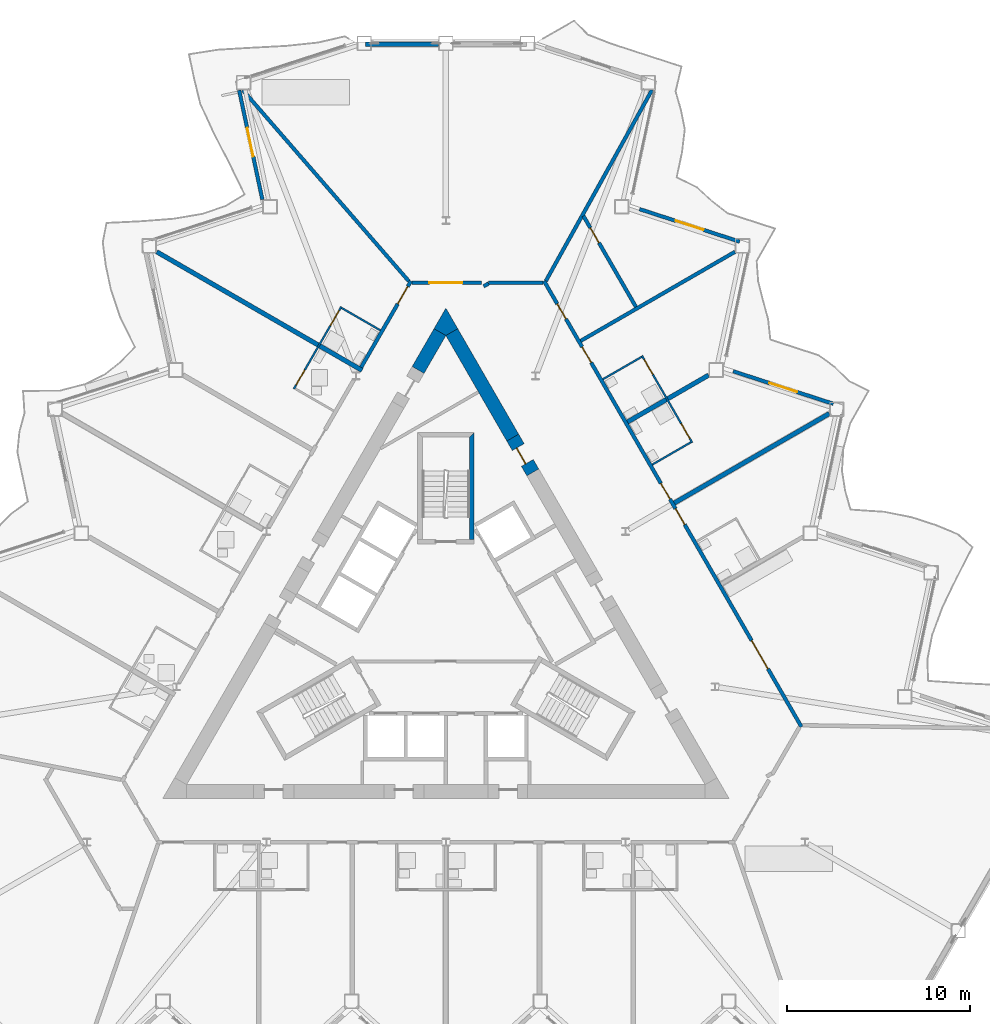
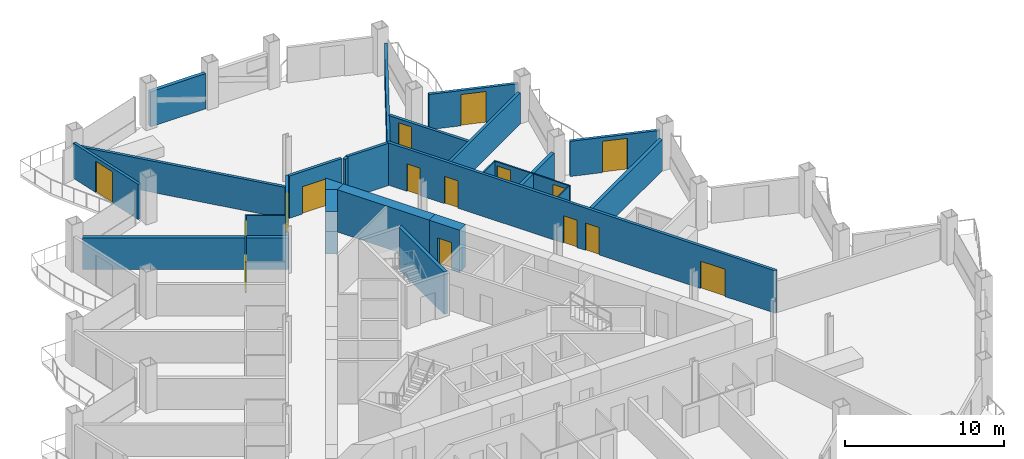
# One storey, part 14 of 23: 26 walls, 16 doors, 16 openings.
"""IFC4 building model written with IfcOpenShell, lengths in metres."""

from ifc_helpers import new_model, si_unit, direction, frame, frame_2d, origin, place, context, subcontext, project, spatial, polyline, rectangle, outline, extrude, material, layer, layer_set, type_object, element, fill, save


model = new_model("IFC4")

# Units and contexts
model_context = context("Model", 3, precision=1e-05, world=origin(), true_north=direction((0.0, 1.0)))
body_context = subcontext(model_context, "Body", "Model", "MODEL_VIEW")
ifc_project = project(units=[si_unit("LENGTHUNIT", "METRE"), si_unit("AREAUNIT", "SQUARE_METRE"), si_unit("VOLUMEUNIT", "CUBIC_METRE"), si_unit("PLANEANGLEUNIT", "RADIAN"), si_unit("MASSUNIT", "GRAM", prefix="KILO")], contexts=[model_context])

# Site, building, storey
site_placement = place(None, origin())
site = spatial("IfcSite", under=ifc_project, at=site_placement, CompositionType="ELEMENT")
building_placement = place(site_placement, origin())
building = spatial("IfcBuilding", under=site, at=building_placement, Name="Cormorant Prow Tower", CompositionType="ELEMENT")
storey_placement = place(building_placement, frame((0.0, 0.0, 187.199951171875)))
storey = spatial("IfcBuildingStorey", under=building, at=storey_placement, Name="L40", CompositionType="ELEMENT", Elevation=187.199951171875)

# Walls
ifc_material_1 = material(Name="Concrete 8000 psi", Category="concrete")
ifc_layer_1 = layer(ifc_material_1, 0.75)
ifc_layer_set_1 = layer_set([ifc_layer_1], Name="Concrete 8000 psi")
wall_type_1 = type_object("IfcWallType", Name="Core shear wall 750", PredefinedType="SHEAR", material=ifc_layer_set_1)
wall_1_placement = place(storey_placement, frame((3.661376953125, 10.806396484375, 0.0), z_axis=(0.0, 0.0, 1.0), x_axis=(-0.500014865866, 0.866016820803, 0.0)))
element("IfcWall", 1, at=wall_1_placement, inside=storey, type_object=wall_type_1, Name="Core wall", PredefinedType="SHEAR", context=body_context, shape_type="SweptSolid", body=[
    extrude(rectangle(XDim=6.673095703125, YDim=0.75, at=frame_2d((3.33642578125, 0.0))), origin(), (0.0, 0.0, 1.0), 3.25),
])
wall_2_placement = place(storey_placement, frame((-0.32470703125, 16.58544921875, 0.0), z_axis=(0.0, 0.0, 1.0), x_axis=(-0.500019473932, -0.866014160212, 0.0)))
element("IfcWall", 2, at=wall_2_placement, inside=storey, type_object=wall_type_1, Name="Core wall", PredefinedType="SHEAR", context=body_context, shape_type="SweptSolid", body=[
    extrude(rectangle(XDim=2.3955078125, YDim=0.75, at=frame_2d((1.19775390625, 0.0))), origin(), (0.0, 0.0, 1.0), 3.25),
])
wall_3_placement = place(storey_placement, origin())
element("IfcWall", 3, at=wall_3_placement, inside=storey, type_object=wall_type_1, Name="Core wall corner", PredefinedType="SHEAR", context=body_context, shape_type="SweptSolid", body=[
    extrude(outline(polyline([(-0.6494140625, 16.77294921875), (0.0, 17.89794921875), (0.6494140625, 16.77294921875), (0.0, 16.39794921875), (-0.6494140625, 16.77294921875)])), origin(), (0.0, 0.0, 1.0), 3.25),
])

# Wall, opening, door
wall_4_placement = place(storey_placement, frame((4.76123046875, 8.90087890625, 0.0), z_axis=(0.0, 0.0, 1.0), x_axis=(-0.499898558967, 0.866083962871, 0.0)))
wall_4 = element("IfcWall", 4, at=wall_4_placement, inside=storey, type_object=wall_type_1, Name="Core wall door panel", PredefinedType="SHEAR", context=body_context, shape_type="SweptSolid", body=[
    extrude(rectangle(XDim=2.2001953125, YDim=0.75, at=frame_2d((1.10009765625, 0.0))), origin(), (0.0, 0.0, 1.0), 3.25),
])
opening_1_placement = place(wall_4_placement, frame((0.60009765625, 0.0, 0.0)))
opening_1 = element("IfcOpeningElement", 5, at=opening_1_placement, cuts=wall_4, Name="Opening L40-C20", PredefinedType="OPENING", context=body_context, shape_type="SweptSolid", body=[
    extrude(rectangle(XDim=1.0, YDim=2.10009765625, at=frame_2d((0.5, 1.050048828125))), frame((0.0, 0.385009765625, 0.0), z_axis=(0.0, -1.0, 0.0), x_axis=(1.0, 0.0, 0.0)), (0.0, 0.0, 1.0), 0.77001953125),
])
ifc_material_2 = material(Name="Painted steel", Category="steel")
door_type_1 = type_object("IfcDoorType", Name="Service door 1000x2100", OperationType="NOTDEFINED", PredefinedType="DOOR", material=ifc_material_2)
door_1_placement = place(opening_1_placement, origin())
door_1 = element("IfcDoor", 6, at=door_1_placement, inside=storey, type_object=door_type_1, Name="Core door, Linen store", OperationType="SINGLE_SWING_RIGHT", OverallHeight=2.10009765625, OverallWidth=1.0, PredefinedType="DOOR", context=body_context, shape_type="SweptSolid", body=[
    extrude(rectangle(XDim=1.0, YDim=2.10009765625, at=frame_2d((0.5, 1.050048828125))), frame((0.0, 0.1298828125, 0.0), z_axis=(0.0, -1.0, 0.0), x_axis=(1.0, 0.0, 0.0)), (0.0, 0.0, 1.0), 0.050048828125),
])
fill(opening_1, door_1)

# Wall, openings, doors
ifc_material_3 = material(Name="Gypsum board corridor wall")
ifc_layer_2 = layer(ifc_material_3, 0.199951171875)
ifc_layer_set_2 = layer_set([ifc_layer_2], Name="Gypsum board corridor wall")
wall_type_2 = type_object("IfcWallType", Name="Corridor wall 200", PredefinedType="PARTITIONING", material=ifc_layer_set_2)
wall_5_placement = place(storey_placement, frame((5.377197265625, 19.384521484375, 0.0), z_axis=(0.0, 0.0, 1.0), x_axis=(0.500000757641, -0.86602496636, 0.0)))
wall_5 = element("IfcWall", 7, at=wall_5_placement, inside=storey, type_object=wall_type_2, Name="Corridor wall", PredefinedType="PARTITIONING", context=body_context, shape_type="SweptSolid", body=[
    extrude(rectangle(XDim=28.19775390625, YDim=0.199951171875, at=frame_2d((14.098876953125, 0.0))), origin(), (0.0, 0.0, 1.0), 3.25),
])
opening_2_placement = place(wall_5_placement, frame((22.73486328125, 0.0, 0.0)))
opening_2 = element("IfcOpeningElement", 8, at=opening_2_placement, cuts=wall_5, Name="Opening L40-F14", PredefinedType="OPENING", context=body_context, shape_type="SweptSolid", body=[
    extrude(rectangle(XDim=1.800048828125, YDim=2.10009765625, at=frame_2d((0.89990234375, 1.050048828125))), frame((0.0, 0.10986328125, 0.0), z_axis=(0.0, -1.0, 0.0), x_axis=(1.0, 0.0, 0.0)), (0.0, 0.0, 1.0), 0.219970703125),
])
opening_3_placement = place(wall_5_placement, frame((14.40185546875, 0.0, 0.0)))
opening_3 = element("IfcOpeningElement", 9, at=opening_3_placement, cuts=wall_5, Name="Opening L40-F15", PredefinedType="OPENING", context=body_context, shape_type="SweptSolid", body=[
    extrude(rectangle(XDim=1.0, YDim=2.10009765625, at=frame_2d((0.5, 1.050048828125))), frame((0.0, 0.10986328125, 0.0), z_axis=(0.0, -1.0, 0.0), x_axis=(1.0, 0.0, 0.0)), (0.0, 0.0, 1.0), 0.219970703125),
])
opening_4_placement = place(wall_5_placement, frame((12.7958984375, 0.0, 0.0)))
opening_4 = element("IfcOpeningElement", 10, at=opening_4_placement, cuts=wall_5, Name="Opening L40-F17", PredefinedType="OPENING", context=body_context, shape_type="SweptSolid", body=[
    extrude(rectangle(XDim=1.0, YDim=2.10009765625, at=frame_2d((0.5, 1.050048828125))), frame((0.0, 0.10986328125, 0.0), z_axis=(0.0, -1.0, 0.0), x_axis=(1.0, 0.0, 0.0)), (0.0, 0.0, 1.0), 0.219970703125),
])
opening_5_placement = place(wall_5_placement, frame((4.164306640625, 0.0, 0.0)))
opening_5 = element("IfcOpeningElement", 11, at=opening_5_placement, cuts=wall_5, Name="Opening L40-F19", PredefinedType="OPENING", context=body_context, shape_type="SweptSolid", body=[
    extrude(rectangle(XDim=1.0, YDim=2.10009765625, at=frame_2d((0.5, 1.050048828125))), frame((0.0, 0.10986328125, 0.0), z_axis=(0.0, -1.0, 0.0), x_axis=(1.0, 0.0, 0.0)), (0.0, 0.0, 1.0), 0.219970703125),
])
opening_6_placement = place(wall_5_placement, frame((1.4521484375, 0.0, 0.0)))
opening_6 = element("IfcOpeningElement", 12, at=opening_6_placement, cuts=wall_5, Name="Opening L40-F21", PredefinedType="OPENING", context=body_context, shape_type="SweptSolid", body=[
    extrude(rectangle(XDim=0.949951171875, YDim=2.10009765625, at=frame_2d((0.47509765625, 1.050048828125))), frame((0.0, 0.10986328125, 0.0), z_axis=(0.0, -1.0, 0.0), x_axis=(1.0, 0.0, 0.0)), (0.0, 0.0, 1.0), 0.219970703125),
])
ifc_material_4 = material(Name="Timber door leaf", Category="wood")
door_type_2 = type_object("IfcDoorType", Name="Double door 1800x2100", OperationType="DOUBLE_DOOR_SINGLE_SWING", PredefinedType="DOOR", material=ifc_material_4)
door_2_placement = place(opening_2_placement, origin())
door_2 = element("IfcDoor", 13, at=door_2_placement, inside=storey, type_object=door_type_2, Name="Club lounge door", OperationType="DOUBLE_DOOR_SINGLE_SWING", OverallHeight=2.10009765625, OverallWidth=1.800048828125, PredefinedType="DOOR", context=body_context, shape_type="SweptSolid", body=[
    extrude(rectangle(XDim=1.800048828125, YDim=2.10009765625, at=frame_2d((0.89990234375, 1.050048828125))), frame((0.0, 0.02490234375, 0.0), z_axis=(0.0, -1.0, 0.0), x_axis=(1.0, 0.0, 0.0)), (0.0, 0.0, 1.0), 0.050048828125),
])
fill(opening_2, door_2)
ifc_material_5 = material(Name="Timber door leaf", Category="wood")
door_type_3 = type_object("IfcDoorType", Name="Flat or room entrance door 1000x2100", OperationType="NOTDEFINED", PredefinedType="DOOR", material=ifc_material_5)
door_3_placement = place(opening_3_placement, origin())
door_3 = element("IfcDoor", 14, at=door_3_placement, inside=storey, type_object=door_type_3, Name="Guest room door", OperationType="SINGLE_SWING_LEFT", OverallHeight=2.10009765625, OverallWidth=1.0, PredefinedType="DOOR", context=body_context, shape_type="SweptSolid", body=[
    extrude(rectangle(XDim=1.0, YDim=2.10009765625, at=frame_2d((0.5, 1.050048828125))), frame((0.0, 0.02490234375, 0.0), z_axis=(0.0, -1.0, 0.0), x_axis=(1.0, 0.0, 0.0)), (0.0, 0.0, 1.0), 0.050048828125),
])
fill(opening_3, door_3)
door_4_placement = place(opening_4_placement, origin())
door_4 = element("IfcDoor", 15, at=door_4_placement, inside=storey, type_object=door_type_3, Name="Guest room door", OperationType="SINGLE_SWING_RIGHT", OverallHeight=2.10009765625, OverallWidth=1.0, PredefinedType="DOOR", context=body_context, shape_type="SweptSolid", body=[
    extrude(rectangle(XDim=1.0, YDim=2.10009765625, at=frame_2d((0.5, 1.050048828125))), frame((0.0, 0.02490234375, 0.0), z_axis=(0.0, -1.0, 0.0), x_axis=(1.0, 0.0, 0.0)), (0.0, 0.0, 1.0), 0.050048828125),
])
fill(opening_4, door_4)
door_5_placement = place(opening_5_placement, origin())
door_5 = element("IfcDoor", 16, at=door_5_placement, inside=storey, type_object=door_type_3, Name="Guest room door", OperationType="SINGLE_SWING_LEFT", OverallHeight=2.10009765625, OverallWidth=1.0, PredefinedType="DOOR", context=body_context, shape_type="SweptSolid", body=[
    extrude(rectangle(XDim=1.0, YDim=2.10009765625, at=frame_2d((0.5, 1.050048828125))), frame((0.0, 0.02490234375, 0.0), z_axis=(0.0, -1.0, 0.0), x_axis=(1.0, 0.0, 0.0)), (0.0, 0.0, 1.0), 0.050048828125),
])
fill(opening_5, door_5)
ifc_material_6 = material(Name="Timber door leaf", Category="wood")
door_type_4 = type_object("IfcDoorType", Name="Store door 950x2100", OperationType="NOTDEFINED", PredefinedType="DOOR", material=ifc_material_6)
door_6_placement = place(opening_6_placement, origin())
door_6 = element("IfcDoor", 17, at=door_6_placement, inside=storey, type_object=door_type_4, Name="Housekeeping room door", OperationType="SINGLE_SWING_LEFT", OverallHeight=2.10009765625, OverallWidth=0.949951171875, PredefinedType="DOOR", context=body_context, shape_type="SweptSolid", body=[
    extrude(rectangle(XDim=0.949951171875, YDim=2.10009765625, at=frame_2d((0.47509765625, 1.050048828125))), frame((0.0, 0.02490234375, 0.0), z_axis=(0.0, -1.0, 0.0), x_axis=(1.0, 0.0, 0.0)), (0.0, 0.0, 1.0), 0.050048828125),
])
fill(opening_6, door_6)

# Wall, opening, door
wall_6_placement = place(storey_placement, frame((-4.643798828125, 14.654541015625, 0.0), z_axis=(0.0, 0.0, 1.0), x_axis=(0.49998041698, 0.866036709751, 0.0)))
wall_6 = element("IfcWall", 18, at=wall_6_placement, inside=storey, type_object=wall_type_2, Name="Corridor wall", PredefinedType="PARTITIONING", context=body_context, shape_type="SweptSolid", body=[
    extrude(rectangle(XDim=5.461669921875, YDim=0.199951171875, at=frame_2d((2.73095703125, 0.0))), origin(), (0.0, 0.0, 1.0), 3.25),
])
opening_7_placement = place(wall_6_placement, frame((4.010009765625, 0.0, 0.0)))
opening_7 = element("IfcOpeningElement", 19, at=opening_7_placement, cuts=wall_6, Name="Opening L40-F24", PredefinedType="OPENING", context=body_context, shape_type="SweptSolid", body=[
    extrude(rectangle(XDim=1.10009765625, YDim=2.10009765625, at=frame_2d((0.550048828125, 1.050048828125))), frame((0.0, 0.10986328125, 0.0), z_axis=(0.0, -1.0, 0.0), x_axis=(1.0, 0.0, 0.0)), (0.0, 0.0, 1.0), 0.219970703125),
])
ifc_material_7 = material(Name="Timber door leaf", Category="wood")
door_type_5 = type_object("IfcDoorType", Name="Suite entrance door 1100x2100", OperationType="NOTDEFINED", PredefinedType="DOOR", material=ifc_material_7)
door_7_placement = place(opening_7_placement, origin())
door_7 = element("IfcDoor", 20, at=door_7_placement, inside=storey, type_object=door_type_5, Name="Junior suite door", OperationType="SINGLE_SWING_RIGHT", OverallHeight=2.10009765625, OverallWidth=1.10009765625, PredefinedType="DOOR", context=body_context, shape_type="SweptSolid", body=[
    extrude(rectangle(XDim=1.10009765625, YDim=2.10009765625, at=frame_2d((0.550048828125, 1.050048828125))), frame((0.0, 0.02490234375, 0.0), z_axis=(0.0, -1.0, 0.0), x_axis=(1.0, 0.0, 0.0)), (0.0, 0.0, 1.0), 0.050048828125),
])
fill(opening_7, door_7)

wall_7_placement = place(storey_placement, frame((-1.863037109375, 19.2978515625, 0.0), z_axis=(0.0, 0.0, 1.0), x_axis=(1.0, 0.0, 0.0)))
wall_7 = element("IfcWall", 21, at=wall_7_placement, inside=storey, type_object=wall_type_2, Name="Corridor wall", PredefinedType="PARTITIONING", context=body_context, shape_type="SweptSolid", body=[
    extrude(rectangle(XDim=3.825927734375, YDim=0.199951171875, at=frame_2d((1.9130859375, 0.0))), origin(), (0.0, 0.0, 1.0), 3.25),
])
opening_8_placement = place(wall_7_placement, frame((0.962158203125, 0.0, 0.0)))
opening_8 = element("IfcOpeningElement", 22, at=opening_8_placement, cuts=wall_7, Name="Opening L40-F23", PredefinedType="OPENING", context=body_context, shape_type="SweptSolid", body=[
    extrude(rectangle(XDim=1.800048828125, YDim=2.10009765625, at=frame_2d((0.89990234375, 1.050048828125))), frame((0.0, 0.10986328125, 0.0), z_axis=(0.0, -1.0, 0.0), x_axis=(1.0, 0.0, 0.0)), (0.0, 0.0, 1.0), 0.219970703125),
])
door_8_placement = place(opening_8_placement, origin())
door_8 = element("IfcDoor", 23, at=door_8_placement, inside=storey, type_object=door_type_2, Name="Co-working space door", OperationType="DOUBLE_DOOR_SINGLE_SWING", OverallHeight=2.10009765625, OverallWidth=1.800048828125, PredefinedType="DOOR", context=body_context, shape_type="SweptSolid", body=[
    extrude(rectangle(XDim=1.800048828125, YDim=2.10009765625, at=frame_2d((0.89990234375, 1.050048828125))), frame((0.0, 0.02490234375, 0.0), z_axis=(0.0, -1.0, 0.0), x_axis=(1.0, 0.0, 0.0)), (0.0, 0.0, 1.0), 0.050048828125),
])
fill(opening_8, door_8)

# Walls
wall_8_placement = place(storey_placement, frame((2.324951171875, 19.2978515625, 0.0), z_axis=(0.0, 0.0, 1.0), x_axis=(1.0, 0.0, 0.0)))
element("IfcWall", 24, at=wall_8_placement, inside=storey, type_object=wall_type_2, Name="Corridor wall", PredefinedType="PARTITIONING", context=body_context, shape_type="SweptSolid", body=[
    extrude(rectangle(XDim=3.002197265625, YDim=0.199951171875, at=frame_2d((1.5009765625, 0.0))), origin(), (0.0, 0.0, 1.0), 3.25),
])
wall_9_placement = place(storey_placement, frame((2.06982421875, 19.093017578125, 0.0), z_axis=(0.0, 0.0, 1.0), x_axis=(0.866395311824, 0.499358752451, 0.0)))
element("IfcWall", 25, at=wall_9_placement, inside=storey, type_object=wall_type_2, Name="Corridor wall", PredefinedType="PARTITIONING", context=body_context, shape_type="SweptSolid", body=[
    extrude(rectangle(XDim=0.31005859375, YDim=0.199951171875, at=frame_2d((0.155029296875, 0.0))), origin(), (0.0, 0.0, 1.0), 3.25),
])
ifc_material_8 = material(Name="Gypsum board demising wall")
ifc_layer_3 = layer(ifc_material_8, 0.199951171875)
ifc_layer_set_3 = layer_set([ifc_layer_3], Name="Gypsum board demising wall")
wall_type_3 = type_object("IfcWallType", Name="Demising wall 200", PredefinedType="PARTITIONING", material=ifc_layer_set_3)
wall_10_placement = place(storey_placement, frame((-11.122314453125, 29.841796875, 0.0), z_axis=(0.0, 0.0, 1.0), x_axis=(0.65579678992, -0.754937461205, 0.0)))
element("IfcWall", 26, at=wall_10_placement, inside=storey, type_object=wall_type_3, Name="Demising wall", PredefinedType="PARTITIONING", context=body_context, shape_type="SweptSolid", body=[
    extrude(rectangle(XDim=13.86669921875, YDim=0.199951171875, at=frame_2d((6.933349609375, 0.0))), origin(), (0.0, 0.0, 1.0), 2.404296875),
])
wall_11_placement = place(storey_placement, frame((5.4755859375, 19.38525390625, 0.0), z_axis=(0.0, 0.0, 1.0), x_axis=(0.485729569949, 0.874109137853, 0.0)))
element("IfcWall", 27, at=wall_11_placement, inside=storey, type_object=wall_type_3, Name="Demising wall", PredefinedType="PARTITIONING", context=body_context, shape_type="SweptSolid", body=[
    extrude(rectangle(XDim=11.96240234375, YDim=0.199951171875, at=frame_2d((5.981201171875, 0.0))), origin(), (0.0, 0.0, 1.0), 2.404296875),
])
wall_12_placement = place(storey_placement, frame((7.385986328125, 16.10498046875, 0.0), z_axis=(0.0, 0.0, 1.0), x_axis=(0.866023056814, 0.500004065051, 0.0)))
element("IfcWall", 28, at=wall_12_placement, inside=storey, type_object=wall_type_3, Name="Demising wall", PredefinedType="PARTITIONING", context=body_context, shape_type="SweptSolid", body=[
    extrude(rectangle(XDim=9.755859375, YDim=0.199951171875, at=frame_2d((4.8779296875, 0.0))), origin(), (0.0, 0.0, 1.0), 2.404296875),
])

# Wall, opening, door
wall_13_placement = place(storey_placement, frame((7.534423828125, 22.947998046875, 0.0), z_axis=(0.0, 0.0, 1.0), x_axis=(0.499991885958, -0.866030088378, 0.0)))
wall_13 = element("IfcWall", 29, at=wall_13_placement, inside=storey, type_object=wall_type_3, Name="Demising wall", PredefinedType="PARTITIONING", context=body_context, shape_type="SweptSolid", body=[
    extrude(rectangle(XDim=5.751953125, YDim=0.199951171875, at=frame_2d((2.8759765625, 0.0))), origin(), (0.0, 0.0, 1.0), 2.404296875),
])
opening_9_placement = place(wall_13_placement, frame((0.750244140625, 0.0, 0.0)))
opening_9 = element("IfcOpeningElement", 30, at=opening_9_placement, cuts=wall_13, Name="Opening L40-F22", PredefinedType="OPENING", context=body_context, shape_type="SweptSolid", body=[
    extrude(rectangle(XDim=0.949951171875, YDim=2.10009765625, at=frame_2d((0.47509765625, 1.050048828125))), frame((0.0, 0.10986328125, 0.0), z_axis=(0.0, -1.0, 0.0), x_axis=(1.0, 0.0, 0.0)), (0.0, 0.0, 1.0), 0.219970703125),
])
door_9_placement = place(opening_9_placement, origin())
door_9 = element("IfcDoor", 31, at=door_9_placement, inside=storey, type_object=door_type_4, Name="Linen store door", OperationType="SINGLE_SWING_LEFT", OverallHeight=2.10009765625, OverallWidth=0.949951171875, PredefinedType="DOOR", context=body_context, shape_type="SweptSolid", body=[
    extrude(rectangle(XDim=0.949951171875, YDim=2.10009765625, at=frame_2d((0.47509765625, 1.050048828125))), frame((0.0, 0.02490234375, 0.0), z_axis=(0.0, -1.0, 0.0), x_axis=(1.0, 0.0, 0.0)), (0.0, 0.0, 1.0), 0.050048828125),
])
fill(opening_9, door_9)

# Wall, openings, doors
ifc_material_9 = material(Name="Gypsum board partition")
ifc_layer_4 = layer(ifc_material_9, 0.10009765625)
ifc_layer_set_4 = layer_set([ifc_layer_4], Name="Gypsum board partition")
wall_type_4 = type_object("IfcWallType", Name="Internal partition 100", PredefinedType="PARTITIONING", material=ifc_layer_set_4)
wall_14_placement = place(storey_placement, frame((10.739501953125, 15.296142578125, 0.0), z_axis=(0.0, 0.0, 1.0), x_axis=(0.500015767406, -0.866016300277, 0.0)))
wall_14 = element("IfcWall", 32, at=wall_14_placement, inside=storey, type_object=wall_type_4, Name="Internal partition", PredefinedType="PARTITIONING", context=body_context, shape_type="SweptSolid", body=[
    extrude(rectangle(XDim=5.499755859375, YDim=0.10009765625, at=frame_2d((2.75, 0.0))), origin(), (0.0, 0.0, 1.0), 2.404296875),
])
opening_10_placement = place(wall_14_placement, frame((4.300048828125, 0.0, 0.0)))
opening_10 = element("IfcOpeningElement", 33, at=opening_10_placement, cuts=wall_14, Name="Opening L40-F18", PredefinedType="OPENING", context=body_context, shape_type="SweptSolid", body=[
    extrude(rectangle(XDim=0.949951171875, YDim=2.10009765625, at=frame_2d((0.47509765625, 1.050048828125))), frame((0.0, 0.06005859375, 0.0), z_axis=(0.0, -1.0, 0.0), x_axis=(1.0, 0.0, 0.0)), (0.0, 0.0, 1.0), 0.1201171875),
])
opening_11_placement = place(wall_14_placement, frame((0.25, 0.0, 0.0)))
opening_11 = element("IfcOpeningElement", 34, at=opening_11_placement, cuts=wall_14, Name="Opening L40-F20", PredefinedType="OPENING", context=body_context, shape_type="SweptSolid", body=[
    extrude(rectangle(XDim=0.949951171875, YDim=2.10009765625, at=frame_2d((0.47509765625, 1.050048828125))), frame((0.0, 0.06005859375, 0.0), z_axis=(0.0, -1.0, 0.0), x_axis=(1.0, 0.0, 0.0)), (0.0, 0.0, 1.0), 0.1201171875),
])
ifc_material_10 = material(Name="Timber door leaf", Category="wood")
door_type_6 = type_object("IfcDoorType", Name="Bathroom door 950x2100", OperationType="NOTDEFINED", PredefinedType="DOOR", material=ifc_material_10)
door_10_placement = place(opening_10_placement, origin())
door_10 = element("IfcDoor", 35, at=door_10_placement, inside=storey, type_object=door_type_6, Name="Guest room door", OperationType="SINGLE_SWING_RIGHT", OverallHeight=2.10009765625, OverallWidth=0.949951171875, PredefinedType="DOOR", context=body_context, shape_type="SweptSolid", body=[
    extrude(rectangle(XDim=0.949951171875, YDim=2.10009765625, at=frame_2d((0.47509765625, 1.050048828125))), frame((0.0, 0.02490234375, 0.0), z_axis=(0.0, -1.0, 0.0), x_axis=(1.0, 0.0, 0.0)), (0.0, 0.0, 1.0), 0.050048828125),
])
fill(opening_10, door_10)
door_11_placement = place(opening_11_placement, origin())
door_11 = element("IfcDoor", 36, at=door_11_placement, inside=storey, type_object=door_type_6, Name="Guest room door", OperationType="SINGLE_SWING_LEFT", OverallHeight=2.10009765625, OverallWidth=0.949951171875, PredefinedType="DOOR", context=body_context, shape_type="SweptSolid", body=[
    extrude(rectangle(XDim=0.949951171875, YDim=2.10009765625, at=frame_2d((0.47509765625, 1.050048828125))), frame((0.0, 0.02490234375, 0.0), z_axis=(0.0, -1.0, 0.0), x_axis=(1.0, 0.0, 0.0)), (0.0, 0.0, 1.0), 0.050048828125),
])
fill(opening_11, door_11)

wall_15_placement = place(storey_placement, frame((-8.327880859375, 13.473388671875, 0.0), z_axis=(0.0, 0.0, 1.0), x_axis=(0.499992051641, 0.866029992723, 0.0)))
wall_15 = element("IfcWall", 37, at=wall_15_placement, inside=storey, type_object=wall_type_4, Name="Internal partition", PredefinedType="PARTITIONING", context=body_context, shape_type="SweptSolid", body=[
    extrude(rectangle(XDim=5.19970703125, YDim=0.10009765625, at=frame_2d((2.599853515625, 0.0))), origin(), (0.0, 0.0, 1.0), 2.404296875),
])
opening_12_placement = place(wall_15_placement, frame((4.0, 0.0, 0.0)))
opening_12 = element("IfcOpeningElement", 38, at=opening_12_placement, cuts=wall_15, Name="Opening L40-F25", PredefinedType="OPENING", context=body_context, shape_type="SweptSolid", body=[
    extrude(rectangle(XDim=0.949951171875, YDim=2.10009765625, at=frame_2d((0.47509765625, 1.050048828125))), frame((0.0, 0.06005859375, 0.0), z_axis=(0.0, -1.0, 0.0), x_axis=(1.0, 0.0, 0.0)), (0.0, 0.0, 1.0), 0.1201171875),
])
opening_13_placement = place(wall_15_placement, frame((0.25, 0.0, 0.0)))
opening_13 = element("IfcOpeningElement", 39, at=opening_13_placement, cuts=wall_15, Name="Opening L40-F27", PredefinedType="OPENING", context=body_context, shape_type="SweptSolid", body=[
    extrude(rectangle(XDim=0.949951171875, YDim=2.10009765625, at=frame_2d((0.47509765625, 1.050048828125))), frame((0.0, 0.06005859375, 0.0), z_axis=(0.0, -1.0, 0.0), x_axis=(1.0, 0.0, 0.0)), (0.0, 0.0, 1.0), 0.1201171875),
])
door_12_placement = place(opening_12_placement, origin())
door_12 = element("IfcDoor", 40, at=door_12_placement, inside=storey, type_object=door_type_6, Name="Junior suite door", OperationType="SINGLE_SWING_RIGHT", OverallHeight=2.10009765625, OverallWidth=0.949951171875, PredefinedType="DOOR", context=body_context, shape_type="SweptSolid", body=[
    extrude(rectangle(XDim=0.949951171875, YDim=2.10009765625, at=frame_2d((0.47509765625, 1.050048828125))), frame((0.0, 0.02490234375, 0.0), z_axis=(0.0, -1.0, 0.0), x_axis=(1.0, 0.0, 0.0)), (0.0, 0.0, 1.0), 0.050048828125),
])
fill(opening_12, door_12)
door_13_placement = place(opening_13_placement, origin())
door_13 = element("IfcDoor", 41, at=door_13_placement, inside=storey, type_object=door_type_6, Name="Guest room door", OperationType="SINGLE_SWING_LEFT", OverallHeight=2.10009765625, OverallWidth=0.949951171875, PredefinedType="DOOR", context=body_context, shape_type="SweptSolid", body=[
    extrude(rectangle(XDim=0.949951171875, YDim=2.10009765625, at=frame_2d((0.47509765625, 1.050048828125))), frame((0.0, 0.02490234375, 0.0), z_axis=(0.0, -1.0, 0.0), x_axis=(1.0, 0.0, 0.0)), (0.0, 0.0, 1.0), 0.050048828125),
])
fill(opening_13, door_13)

# Walls
wall_16_placement = place(storey_placement, frame((-5.709716796875, 17.908203125, 0.0), z_axis=(0.0, 0.0, 1.0), x_axis=(0.866057815567, -0.499943856944, 0.0)))
element("IfcWall", 42, at=wall_16_placement, inside=storey, type_object=wall_type_4, Name="Internal partition", PredefinedType="PARTITIONING", context=body_context, shape_type="SweptSolid", body=[
    extrude(rectangle(XDim=2.449951171875, YDim=0.10009765625, at=frame_2d((1.22509765625, 0.0))), origin(), (0.0, 0.0, 1.0), 2.404296875),
])
wall_17_placement = place(storey_placement, frame((11.299560546875, 9.326416015625, 0.0), z_axis=(0.0, 0.0, 1.0), x_axis=(0.866014668023, 0.500018594424, 0.0)))
element("IfcWall", 43, at=wall_17_placement, inside=storey, type_object=wall_type_4, Name="Internal partition", PredefinedType="PARTITIONING", context=body_context, shape_type="SweptSolid", body=[
    extrude(rectangle(XDim=2.4501953125, YDim=0.10009765625, at=frame_2d((1.22509765625, 0.0))), origin(), (0.0, 0.0, 1.0), 2.404296875),
])
wall_18_placement = place(storey_placement, frame((8.599609375, 14.0029296875, 0.0), z_axis=(0.0, 0.0, 1.0), x_axis=(0.866032905446, 0.499987006516, 0.0)))
element("IfcWall", 44, at=wall_18_placement, inside=storey, type_object=wall_type_4, Name="Internal partition", PredefinedType="PARTITIONING", context=body_context, shape_type="SweptSolid", body=[
    extrude(rectangle(XDim=2.44970703125, YDim=0.10009765625, at=frame_2d((1.224853515625, 0.0))), origin(), (0.0, 0.0, 1.0), 2.404296875),
])
ifc_material_11 = material(Name="Concrete 8000 psi", Category="concrete")
ifc_layer_5 = layer(ifc_material_11, 0.25)
ifc_layer_set_5 = layer_set([ifc_layer_5], Name="Concrete 8000 psi")
wall_type_5 = type_object("IfcWallType", Name="Stair wall 250", PredefinedType="SHEAR", material=ifc_layer_set_5)
wall_19_placement = place(storey_placement, origin())
element("IfcWall", 45, at=wall_19_placement, inside=storey, type_object=wall_type_5, Name="Stair ST3 enclosure wall (flank)", PredefinedType="SHEAR", context=body_context, shape_type="SweptSolid", body=[
    extrude(outline(polyline([(1.5439453125, 5.23681640625), (1.5439453125, 11.0869140625), (1.2939453125, 10.8369140625), (1.2939453125, 5.23681640625), (1.5439453125, 5.23681640625)])), origin(), (0.0, 0.0, 1.0), 3.25),
])
ifc_material_12 = material(Name="Acoustic gypsum party wall")
ifc_layer_6 = layer(ifc_material_12, 0.25)
ifc_layer_set_6 = layer_set([ifc_layer_6], Name="Acoustic gypsum party wall")
wall_type_6 = type_object("IfcWallType", Name="Suite party wall 250", PredefinedType="PARTITIONING", material=ifc_layer_set_6)
wall_20_placement = place(storey_placement, frame((-15.834716796875, 20.98291015625, 0.0), z_axis=(0.0, 0.0, 1.0), x_axis=(0.866022720283, -0.500004647933, 0.0)))
element("IfcWall", 46, at=wall_20_placement, inside=storey, type_object=wall_type_6, Name="Suite party wall", PredefinedType="PARTITIONING", context=body_context, shape_type="SweptSolid", body=[
    extrude(rectangle(XDim=12.98095703125, YDim=0.25, at=frame_2d((6.490478515625, 0.0))), origin(), (0.0, 0.0, 1.0), 2.404296875),
])
wall_21_placement = place(storey_placement, frame((12.51318359375, 7.224609375, 0.0), z_axis=(0.0, 0.0, 1.0), x_axis=(0.866032905446, 0.499987006516, 0.0)))
element("IfcWall", 47, at=wall_21_placement, inside=storey, type_object=wall_type_6, Name="Suite party wall", PredefinedType="PARTITIONING", context=body_context, shape_type="SweptSolid", body=[
    extrude(rectangle(XDim=9.799072265625, YDim=0.25, at=frame_2d((4.8994140625, 0.0))), origin(), (0.0, 0.0, 1.0), 2.404296875),
])
wall_22_placement = place(storey_placement, frame((9.94970703125, 11.664794921875, 0.0), z_axis=(0.0, 0.0, 1.0), x_axis=(0.86603095744, 0.499990380663, 0.0)))
element("IfcWall", 48, at=wall_22_placement, inside=storey, type_object=wall_type_6, Name="Suite party wall", PredefinedType="PARTITIONING", context=body_context, shape_type="SweptSolid", body=[
    extrude(rectangle(XDim=5.126953125, YDim=0.25, at=frame_2d((2.5634765625, 0.0))), origin(), (0.0, 0.0, 1.0), 2.404296875),
])
ifc_material_13 = material(Name="Terracotta", Category="masonry")
ifc_layer_7 = layer(ifc_material_13, 0.25)
ifc_layer_set_7 = layer_set([ifc_layer_7], Name="Terracotta")
wall_type_7 = type_object("IfcWallType", Name="Terracotta bay wall 250", PredefinedType="SOLIDWALL", material=ifc_layer_set_7)
wall_23_placement = place(storey_placement, frame((-0.39990234375, 32.346923828125, 0.0), z_axis=(0.0, 0.0, 1.0), x_axis=(-1.0, 0.0, 0.0)))
element("IfcWall", 49, at=wall_23_placement, inside=storey, type_object=wall_type_7, Name="Terracotta bay wall N01", PredefinedType="SOLIDWALL", context=body_context, shape_type="SweptSolid", body=[
    extrude(rectangle(XDim=4.00390625, YDim=0.25, at=frame_2d((2.001953125, 0.0))), origin(), (0.0, 0.0, 1.0), 2.700927734375),
])

# Wall, opening, door
ifc_material_14 = material(Name="Terracotta", Category="masonry")
ifc_layer_8 = layer(ifc_material_14, 0.199951171875)
ifc_layer_set_8 = layer_set([ifc_layer_8], Name="Terracotta")
wall_type_8 = type_object("IfcWallType", Name="Terracotta jamb wall 200", PredefinedType="SOLIDWALL", material=ifc_layer_set_8)
wall_24_placement = place(storey_placement, frame((21.216552734375, 12.659423828125, 0.0), z_axis=(0.0, 0.0, 1.0), x_axis=(-0.951053678976, 0.30902572661, 0.0)))
wall_24 = element("IfcWall", 50, at=wall_24_placement, inside=storey, type_object=wall_type_8, Name="Terracotta jamb wall ENE05", PredefinedType="SOLIDWALL", context=body_context, shape_type="SweptSolid", body=[
    extrude(rectangle(XDim=5.76318359375, YDim=0.199951171875, at=frame_2d((2.881591796875, 0.0))), origin(), (0.0, 0.0, 1.0), 2.700927734375),
])
opening_14_placement = place(wall_24_placement, frame((2.08154296875, 0.0, 0.0)))
opening_14 = element("IfcOpeningElement", 51, at=opening_14_placement, cuts=wall_24, Name="Opening ED40.08", PredefinedType="OPENING", context=body_context, shape_type="SweptSolid", body=[
    extrude(rectangle(XDim=1.60009765625, YDim=2.39990234375, at=frame_2d((0.800048828125, 1.199951171875))), frame((0.0, 0.10986328125, 0.0), z_axis=(0.0, -1.0, 0.0), x_axis=(1.0, 0.0, 0.0)), (0.0, 0.0, 1.0), 0.219970703125),
])
ifc_material_15 = material(Name="Aluminium 6063-T6", Category="aluminium")
door_type_7 = type_object("IfcDoorType", Name="Balcony door 1600x2400", OperationType="DOUBLE_DOOR_SINGLE_SWING", PredefinedType="DOOR", material=ifc_material_15)
door_14_placement = place(opening_14_placement, origin())
door_14 = element("IfcDoor", 52, at=door_14_placement, inside=storey, type_object=door_type_7, Name="Balcony door ENE05 ED40.08", OperationType="DOUBLE_DOOR_SINGLE_SWING", OverallHeight=2.39990234375, OverallWidth=1.60009765625, PredefinedType="DOOR", context=body_context, shape_type="SweptSolid", body=[
    extrude(rectangle(XDim=1.60009765625, YDim=2.39990234375, at=frame_2d((0.800048828125, 1.199951171875))), frame((0.0, 0.02490234375, 0.0), z_axis=(0.0, -1.0, 0.0), x_axis=(1.0, 0.0, 0.0)), (0.0, 0.0, 1.0), 0.050048828125),
])
fill(opening_14, door_14)

wall_25_placement = place(storey_placement, frame((16.08935546875, 21.539794921875, 0.0), z_axis=(0.0, 0.0, 1.0), x_axis=(-0.951053678976, 0.30902572661, 0.0)))
wall_25 = element("IfcWall", 53, at=wall_25_placement, inside=storey, type_object=wall_type_8, Name="Terracotta jamb wall ENE07", PredefinedType="SOLIDWALL", context=body_context, shape_type="SweptSolid", body=[
    extrude(rectangle(XDim=5.76318359375, YDim=0.199951171875, at=frame_2d((2.881591796875, 0.0))), origin(), (0.0, 0.0, 1.0), 2.700927734375),
])
opening_15_placement = place(wall_25_placement, frame((2.08154296875, 0.0, 0.0)))
opening_15 = element("IfcOpeningElement", 54, at=opening_15_placement, cuts=wall_25, Name="Opening ED40.09", PredefinedType="OPENING", context=body_context, shape_type="SweptSolid", body=[
    extrude(rectangle(XDim=1.60009765625, YDim=2.39990234375, at=frame_2d((0.800048828125, 1.199951171875))), frame((0.0, 0.10986328125, 0.0), z_axis=(0.0, -1.0, 0.0), x_axis=(1.0, 0.0, 0.0)), (0.0, 0.0, 1.0), 0.219970703125),
])
door_15_placement = place(opening_15_placement, origin())
door_15 = element("IfcDoor", 55, at=door_15_placement, inside=storey, type_object=door_type_7, Name="Balcony door ENE07 ED40.09", OperationType="DOUBLE_DOOR_SINGLE_SWING", OverallHeight=2.39990234375, OverallWidth=1.60009765625, PredefinedType="DOOR", context=body_context, shape_type="SweptSolid", body=[
    extrude(rectangle(XDim=1.60009765625, YDim=2.39990234375, at=frame_2d((0.800048828125, 1.199951171875))), frame((0.0, 0.02490234375, 0.0), z_axis=(0.0, -1.0, 0.0), x_axis=(1.0, 0.0, 0.0)), (0.0, 0.0, 1.0), 0.050048828125),
])
fill(opening_15, door_15)

wall_26_placement = place(storey_placement, frame((-11.323974609375, 29.835205078125, 0.0), z_axis=(0.0, 0.0, 1.0), x_axis=(0.207925037413, -0.978144763732, 0.0)))
wall_26 = element("IfcWall", 56, at=wall_26_placement, inside=storey, type_object=wall_type_8, Name="Terracotta jamb wall WNW01", PredefinedType="SOLIDWALL", context=body_context, shape_type="SweptSolid", body=[
    extrude(rectangle(XDim=6.123291015625, YDim=0.199951171875, at=frame_2d((3.0615234375, 0.0))), origin(), (0.0, 0.0, 1.0), 2.700927734375),
])
opening_16_placement = place(wall_26_placement, frame((2.112548828125, 0.0, 0.0)))
opening_16 = element("IfcOpeningElement", 57, at=opening_16_placement, cuts=wall_26, Name="Opening ED40.11", PredefinedType="OPENING", context=body_context, shape_type="SweptSolid", body=[
    extrude(rectangle(XDim=1.60009765625, YDim=2.39990234375, at=frame_2d((0.800048828125, 1.199951171875))), frame((0.0, 0.10986328125, 0.0), z_axis=(0.0, -1.0, 0.0), x_axis=(1.0, 0.0, 0.0)), (0.0, 0.0, 1.0), 0.219970703125),
])
door_16_placement = place(opening_16_placement, origin())
door_16 = element("IfcDoor", 58, at=door_16_placement, inside=storey, type_object=door_type_7, Name="Balcony door WNW01 ED40.11", OperationType="DOUBLE_DOOR_SINGLE_SWING", OverallHeight=2.39990234375, OverallWidth=1.60009765625, PredefinedType="DOOR", context=body_context, shape_type="SweptSolid", body=[
    extrude(rectangle(XDim=1.60009765625, YDim=2.39990234375, at=frame_2d((0.800048828125, 1.199951171875))), frame((0.0, 0.02490234375, 0.0), z_axis=(0.0, -1.0, 0.0), x_axis=(1.0, 0.0, 0.0)), (0.0, 0.0, 1.0), 0.050048828125),
])
fill(opening_16, door_16)

save(model, "model.ifc")
